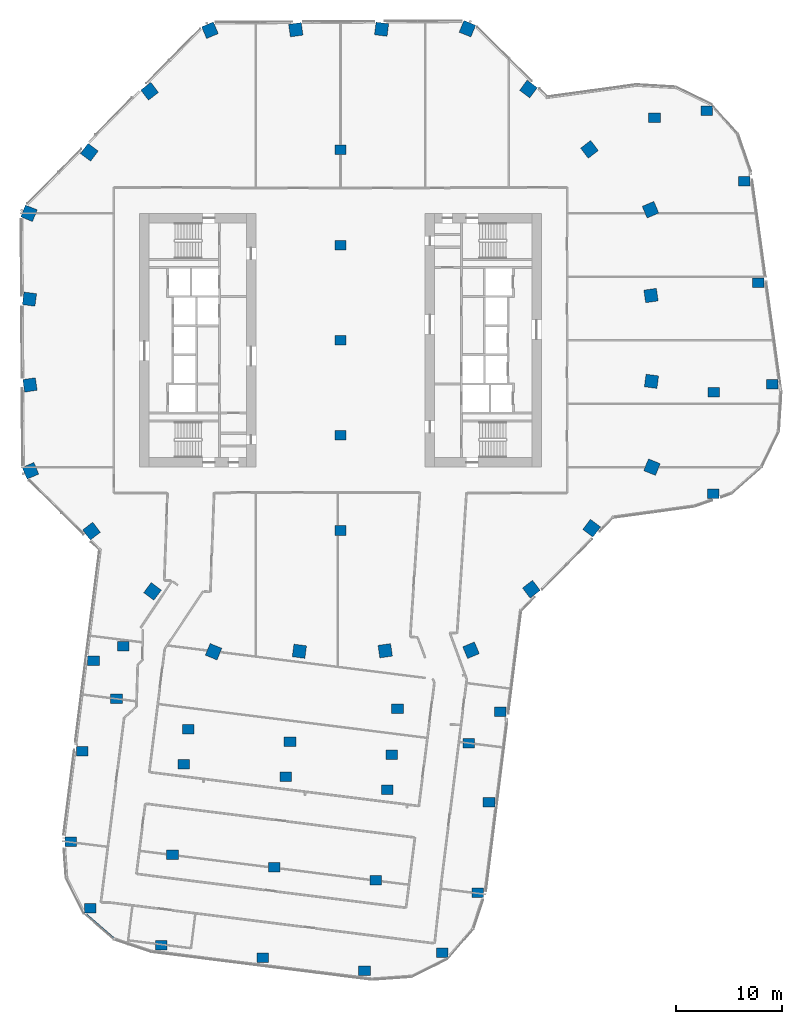
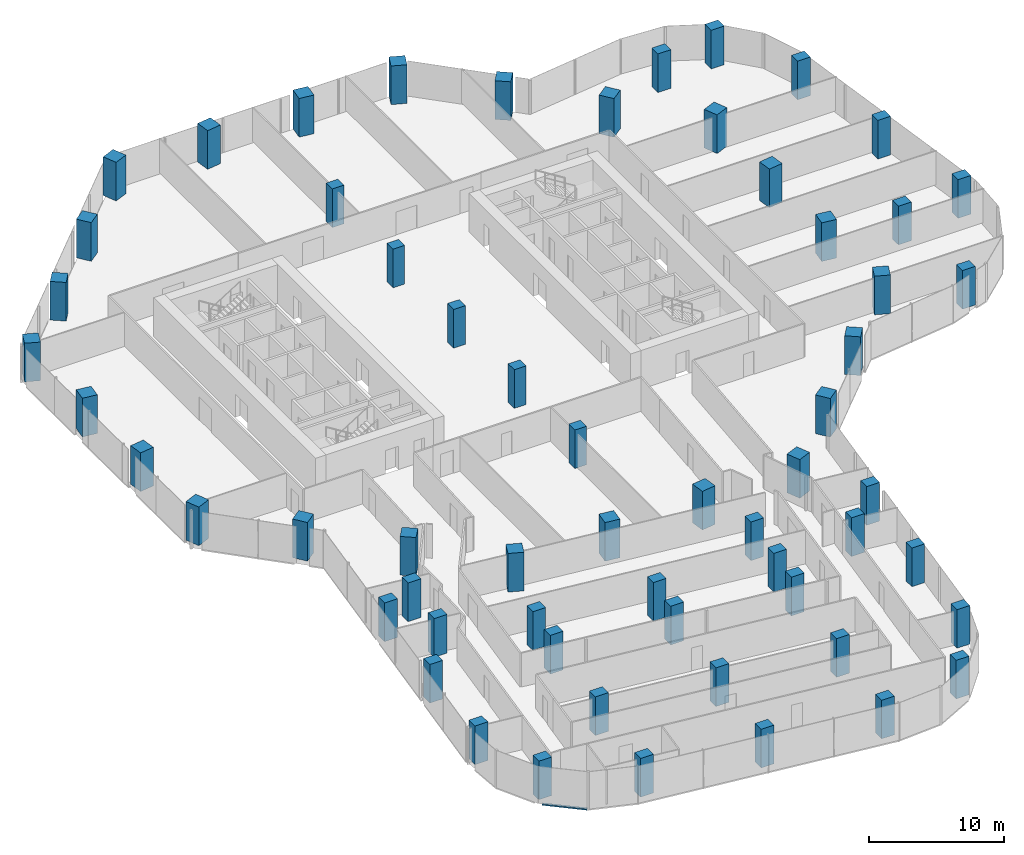
# One storey, part 1 of 27: 60 columns, 1 member, 1 element without a shape of its own.
"""IFC4 building model written with IfcOpenShell, lengths in metres."""

from ifc_helpers import new_model, si_unit, direction, frame, origin, origin_2d, place, context, subcontext, project, spatial, rectangle, extrude, material, material_profile, profile_set, type_object, element, aggregate, save


model = new_model("IFC4")

# Units and contexts
model_context = context("Model", 3, precision=1e-05, world=origin(), true_north=direction((0.0, 1.0)))
body_context = subcontext(model_context, "Body", "Model", "MODEL_VIEW")
ifc_project = project(units=[si_unit("LENGTHUNIT", "METRE"), si_unit("AREAUNIT", "SQUARE_METRE"), si_unit("VOLUMEUNIT", "CUBIC_METRE"), si_unit("PLANEANGLEUNIT", "RADIAN"), si_unit("MASSUNIT", "GRAM", prefix="KILO")], contexts=[model_context])

# Site, building, storey
site_placement = place(None, origin())
site = spatial("IfcSite", under=ifc_project, at=site_placement, CompositionType="ELEMENT")
building_placement = place(site_placement, origin())
building = spatial("IfcBuilding", under=site, at=building_placement, Name="Orlundy Tower", CompositionType="ELEMENT")
storey_placement = place(building_placement, frame((0.0, 0.0, 195.60009765625)))
storey = spatial("IfcBuildingStorey", under=building, at=storey_placement, Name="L51", CompositionType="ELEMENT", Elevation=195.60009765625)

# Columns
ifc_material_1 = material(Name="Concrete C70/85", Category="concrete")
ifc_material_profile_1 = material_profile(ifc_material_1, rectangle(XDim=1.0, YDim=0.89990234375, at=origin_2d()), Name="RC1000X900")
ifc_profile_set_1 = profile_set([ifc_material_profile_1], Name="Concrete C70/85")
column_type_1 = type_object("IfcColumnType", Name="RC COLUMN RC1000X900 C70/85", PredefinedType="COLUMN", material=ifc_profile_set_1)
for number, where, z_axis, x_axis, name in (
    (1, (0.0, -18.0, 0.0), (0.0, 0.0, 1.0), (1.0, 0.0, 0.0), "Column C-M1 L51"),
    (2, (0.0, -9.0, 0.0), (0.0, 0.0, 1.0), (1.0, 0.0, 0.0), "Column C-M2 L51"),
    (3, (0.0, 0.0, 0.0), (0.0, 0.0, 1.0), (1.0, 0.0, 0.0), "Column C-M3 L51"),
    (4, (0.0, 9.0, 0.0), (0.0, 0.0, 1.0), (1.0, 0.0, 0.0), "Column C-M4 L51"),
    (5, (0.0, 18.0, 0.0), (0.0, 0.0, 1.0), (1.0, 0.0, 0.0), "Column C-M5 L51"),
):
    element("IfcColumn", number, at=place(storey_placement, frame(where, z_axis=z_axis, x_axis=x_axis)), inside=storey, type_object=column_type_1, Name=name, PredefinedType="COLUMN", context=body_context, shape_type="SweptSolid", body=[
        extrude(rectangle(XDim=1.0, YDim=0.89990234375, at=origin_2d()), origin(), (0.0, 0.0, 1.0), 3.5),
    ])
ifc_material_2 = material(Name="Concrete C70/85", Category="concrete")
ifc_material_profile_2 = material_profile(ifc_material_2, rectangle(XDim=1.10009765625, YDim=0.89990234375, at=origin_2d()), Name="RC1100X900")
ifc_profile_set_2 = profile_set([ifc_material_profile_2], Name="Concrete C70/85")
column_type_2 = type_object("IfcColumnType", Name="RC COLUMN RC1100X900 C70/85", PredefinedType="COLUMN", material=ifc_profile_set_2)
for number, where, z_axis, x_axis, name in (
    (6, (35.258056640625, -14.512939453125, 0.0), (0.0, 0.0, 1.0), (1.0, 0.0, 0.0), "Column C-A1-1 L51"),
    (7, (40.85009765625, -4.1708984375, 0.0), (0.0, 0.0, 1.0), (1.0, 0.0, 0.0), "Column C-A2-5 L51"),
    (8, (35.302001953125, -4.93505859375, 0.0), (0.0, 0.0, 1.0), (1.0, 0.0, 0.0), "Column C-A2-6 L51"),
    (9, (39.528076171875, 5.43798828125, 0.0), (0.0, 0.0, 1.0), (1.0, 0.0, 0.0), "Column C-A3-5 L51"),
    (10, (38.2060546875, 15.048095703125, 0.0), (0.0, 0.0, 1.0), (1.0, 0.0, 0.0), "Column C-A4-5 L51"),
    (11, (34.656005859375, 21.718994140625, 0.0), (0.0, 0.0, 1.0), (1.0, 0.0, 0.0), "Column C-A5-5 L51"),
    (12, (29.702880859375, 21.0380859375, 0.0), (0.0, 0.0, 1.0), (1.0, 0.0, 0.0), "Column C-A5-6 L51"),
    (13, (-23.364990234375, -30.322021484375, 0.0), (0.0, 0.0, 1.0), (1.0, 0.0, 0.0), "Column C-B1-1 L51"),
    (14, (-24.44189453125, -38.887939453125, 0.0), (0.0, 0.0, 1.0), (1.0, 0.0, 0.0), "Column C-B1-2 L51"),
    (15, (-25.51611328125, -47.4541015625, 0.0), (0.0, 0.0, 1.0), (1.0, 0.0, 0.0), "Column C-B1-3 L51"),
    (16, (-23.68505859375, -53.758056640625, 0.0), (0.0, 0.0, 1.0), (1.0, 0.0, 0.0), "Column C-B1-5 L51"),
    (17, (-21.18994140625, -33.9150390625, 0.0), (0.0, 0.0, 1.0), (1.0, 0.0, 0.0), "Column C-B1-6 L51"),
    (18, (-20.56591796875, -28.9541015625, 0.0), (0.0, 0.0, 1.0), (1.0, 0.0, 0.0), "Column C-B1-7 L51"),
    (19, (-14.818115234375, -40.097900390625, 0.0), (0.0, 0.0, 1.0), (1.0, 0.0, 0.0), "Column C-B2-2 L51"),
    (20, (-15.89501953125, -48.6640625, 0.0), (0.0, 0.0, 1.0), (1.0, 0.0, 0.0), "Column C-B2-3 L51"),
    (21, (-16.971923828125, -57.22998046875, 0.0), (0.0, 0.0, 1.0), (1.0, 0.0, 0.0), "Column C-B2-5 L51"),
    (22, (-14.402099609375, -36.791015625, 0.0), (0.0, 0.0, 1.0), (1.0, 0.0, 0.0), "Column C-B2-6 L51"),
    (23, (-5.194091796875, -41.30810546875, 0.0), (0.0, 0.0, 1.0), (1.0, 0.0, 0.0), "Column C-B3-2 L51"),
    (24, (-6.27099609375, -49.8740234375, 0.0), (0.0, 0.0, 1.0), (1.0, 0.0, 0.0), "Column C-B3-3 L51"),
    (25, (-7.347900390625, -58.43994140625, 0.0), (0.0, 0.0, 1.0), (1.0, 0.0, 0.0), "Column C-B3-5 L51"),
    (26, (-4.778076171875, -38.0009765625, 0.0), (0.0, 0.0, 1.0), (1.0, 0.0, 0.0), "Column C-B3-6 L51"),
    (27, (4.429931640625, -42.51806640625, 0.0), (0.0, 0.0, 1.0), (1.0, 0.0, 0.0), "Column C-B4-2 L51"),
    (28, (3.35302734375, -51.083984375, 0.0), (0.0, 0.0, 1.0), (1.0, 0.0, 0.0), "Column C-B4-3 L51"),
    (29, (2.27587890625, -59.64990234375, 0.0), (0.0, 0.0, 1.0), (1.0, 0.0, 0.0), "Column C-B4-5 L51"),
    (30, (4.845947265625, -39.2109375, 0.0), (0.0, 0.0, 1.0), (1.0, 0.0, 0.0), "Column C-B4-6 L51"),
    (31, (5.39501953125, -34.844970703125, 0.0), (0.0, 0.0, 1.0), (1.0, 0.0, 0.0), "Column C-B4-7 L51"),
    (32, (15.131103515625, -35.162109375, 0.0), (0.0, 0.0, 1.0), (1.0, 0.0, 0.0), "Column C-B5-1 L51"),
    (33, (14.053955078125, -43.72802734375, 0.0), (0.0, 0.0, 1.0), (1.0, 0.0, 0.0), "Column C-B5-2 L51"),
    (34, (12.972900390625, -52.2939453125, 0.0), (0.0, 0.0, 1.0), (1.0, 0.0, 0.0), "Column C-B5-3 L51"),
    (35, (9.638916015625, -57.948974609375, 0.0), (0.0, 0.0, 1.0), (1.0, 0.0, 0.0), "Column C-B5-5 L51"),
    (36, (12.134033203125, -38.10498046875, 0.0), (0.0, 0.0, 1.0), (1.0, 0.0, 0.0), "Column C-B5-6 L51"),
):
    element("IfcColumn", number, at=place(storey_placement, frame(where, z_axis=z_axis, x_axis=x_axis)), inside=storey, type_object=column_type_2, Name=name, PredefinedType="COLUMN", context=body_context, shape_type="SweptSolid", body=[
        extrude(rectangle(XDim=1.10009765625, YDim=0.89990234375, at=origin_2d()), origin(), (0.0, 0.0, 1.0), 3.5),
    ])
ifc_material_3 = material(Name="Concrete C70/85", Category="concrete")
ifc_material_profile_3 = material_profile(ifc_material_3, rectangle(XDim=1.199951171875, YDim=1.199951171875, at=origin_2d()), Name="RC1200X1200")
ifc_profile_set_3 = profile_set([ifc_material_profile_3], Name="Concrete C70/85")
column_type_3 = type_object("IfcColumnType", Name="RC COLUMN RC1200X1200 C70/85", PredefinedType="COLUMN", material=ifc_profile_set_3)
for number, where, z_axis, x_axis, name in (
    (37, (12.007080078125, 29.469970703125, 0.0), (0.0, 0.0, 1.0), (0.377323624231, 0.926081466501, 0.0), "Column C-H01 L51"),
    (38, (17.781005859375, 23.762939453125, 0.0), (0.0, 0.0, 1.0), (0.599107447624, 0.800668636954, 0.0), "Column C-H02 L51"),
    (39, (23.554931640625, 18.055908203125, 0.0), (0.0, 0.0, 1.0), (0.793650742501, 0.60837365075, 0.0), "Column C-H03 L51"),
    (40, (29.3291015625, 12.34912109375, 0.0), (0.0, 0.0, 1.0), (0.921633032912, 0.388062562797, 0.0), "Column C-H04 L51"),
    (41, (29.3759765625, 4.22998046875, 0.0), (0.0, 0.0, 1.0), (0.989791161548, 0.142525283799, 0.0), "Column C-H05 L51"),
    (42, (29.423095703125, -3.887939453125, 0.0), (0.0, 0.0, 1.0), (0.991380955857, -0.131010687976, 0.0), "Column C-H06 L51"),
    (43, (29.469970703125, -12.007080078125, 0.0), (0.0, 0.0, 1.0), (0.926081466501, -0.377323624231, 0.0), "Column C-H07 L51"),
    (44, (23.762939453125, -17.781005859375, 0.0), (0.0, 0.0, 1.0), (0.800668636954, -0.599107447624, 0.0), "Column C-H08 L51"),
    (45, (18.055908203125, -23.554931640625, 0.0), (0.0, 0.0, 1.0), (0.60837365075, -0.793650742501, 0.0), "Column C-H09 L51"),
    (46, (12.34912109375, -29.3291015625, 0.0), (0.0, 0.0, 1.0), (0.388062562797, -0.921633032912, 0.0), "Column C-H10 L51"),
    (47, (4.22998046875, -29.3759765625, 0.0), (0.0, 0.0, 1.0), (0.142525283799, -0.989791161548, 0.0), "Column C-H11 L51"),
    (48, (-3.887939453125, -29.423095703125, 0.0), (0.0, 0.0, 1.0), (-0.131010687976, -0.991380955857, 0.0), "Column C-H12 L51"),
    (49, (-12.007080078125, -29.469970703125, 0.0), (0.0, 0.0, 1.0), (-0.377323624231, -0.926081466501, 0.0), "Column C-H13 L51"),
    (50, (-17.781005859375, -23.762939453125, 0.0), (0.0, 0.0, 1.0), (-0.599107447624, -0.800668636954, 0.0), "Column C-H14 L51"),
    (51, (-23.554931640625, -18.055908203125, 0.0), (0.0, 0.0, 1.0), (-0.793650742501, -0.60837365075, 0.0), "Column C-H15 L51"),
    (52, (-29.3291015625, -12.34912109375, 0.0), (0.0, 0.0, 1.0), (-0.921633032912, -0.388062562797, 0.0), "Column C-H16 L51"),
    (53, (-29.3759765625, -4.22998046875, 0.0), (0.0, 0.0, 1.0), (-0.989791161548, -0.142525283799, 0.0), "Column C-H17 L51"),
    (54, (-29.423095703125, 3.887939453125, 0.0), (0.0, 0.0, 1.0), (-0.991380955857, 0.131010687976, 0.0), "Column C-H18 L51"),
    (55, (-29.469970703125, 12.007080078125, 0.0), (0.0, 0.0, 1.0), (-0.926081466501, 0.377323624231, 0.0), "Column C-H19 L51"),
    (56, (-23.762939453125, 17.781005859375, 0.0), (0.0, 0.0, 1.0), (-0.800668636954, 0.599107447624, 0.0), "Column C-H20 L51"),
    (57, (-18.055908203125, 23.554931640625, 0.0), (0.0, 0.0, 1.0), (-0.60837365075, 0.793650742501, 0.0), "Column C-H21 L51"),
    (58, (-12.34912109375, 29.3291015625, 0.0), (0.0, 0.0, 1.0), (-0.388062562797, 0.921633032912, 0.0), "Column C-H22 L51"),
    (59, (-4.22998046875, 29.3759765625, 0.0), (0.0, 0.0, 1.0), (-0.142525283799, 0.989791161548, 0.0), "Column C-H23 L51"),
    (60, (3.887939453125, 29.423095703125, 0.0), (0.0, 0.0, 1.0), (0.131010687976, 0.991380955857, 0.0), "Column C-H24 L51"),
):
    element("IfcColumn", number, at=place(storey_placement, frame(where, z_axis=z_axis, x_axis=x_axis)), inside=storey, type_object=column_type_3, Name=name, PredefinedType="COLUMN", context=body_context, shape_type="SweptSolid", body=[
        extrude(rectangle(XDim=1.199951171875, YDim=1.199951171875, at=origin_2d()), origin(), (0.0, 0.0, 1.0), 3.5),
    ])

# Curtain wall, member
ifc_material_4 = material(Name="Aluminium bronze anodised", Category="aluminium")
curtain_wall_type = type_object("IfcCurtainWallType", Name="CW1 wall", PredefinedType="NOTDEFINED", material=ifc_material_4)
curtain_wall_placement = place(storey_placement, origin())
curtain_wall = element("IfcCurtainWall", 61, at=curtain_wall_placement, inside=storey, type_object=curtain_wall_type, Name="CW1 run 025", PredefinedType="NOTDEFINED")
ifc_material_5 = material(Name="Aluminium bronze anodised", Category="aluminium")
ifc_material_profile_4 = material_profile(ifc_material_5, rectangle(XDim=0.179931640625, YDim=0.1201171875, at=origin_2d()), Name="CW1 transom 180x120")
ifc_profile_set_4 = profile_set([ifc_material_profile_4], Name="Aluminium bronze anodised")
member_type = type_object("IfcMemberType", Name="CW1 transom 180x120", PredefinedType="USERDEFINED", material=ifc_profile_set_4)
member_placement = place(storey_placement, frame((-21.471435546875, -56.57470703125, -0.360107421875), z_axis=(-0.755629576233, 0.654999193527, 0.0), x_axis=(-0.654999193527, -0.755629576233, 0.0)))
member = element("IfcMember", 62, at=member_placement, type_object=member_type, Name="CW1 transom", ObjectType="TRANSOM", PredefinedType="USERDEFINED", context=body_context, shape_type="SweptSolid", body=[
    extrude(rectangle(XDim=0.179931640625, YDim=0.1201171875, at=origin_2d()), origin(), (0.0, 0.0, 1.0), 3.384521484375),
])
aggregate(curtain_wall, [member])

save(model, "model.ifc")
